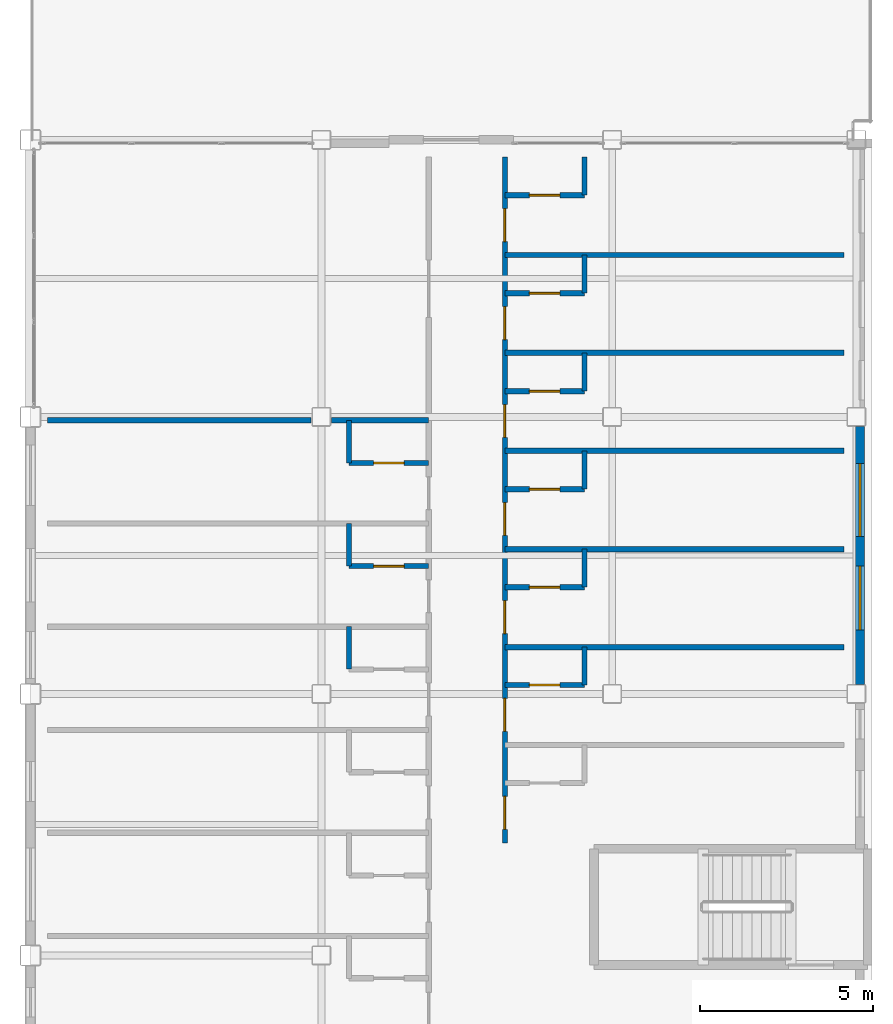
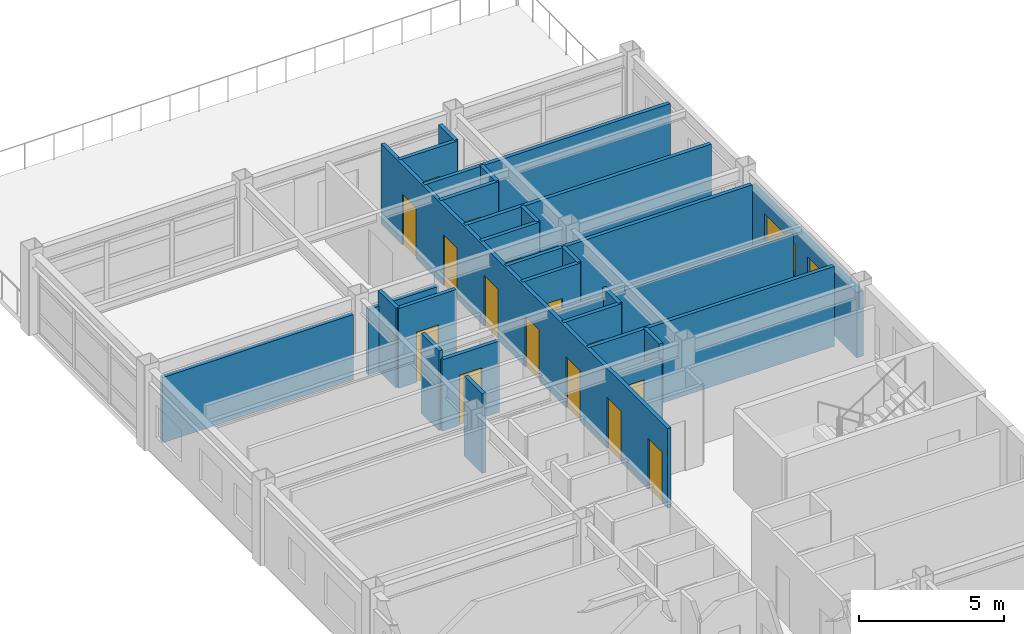
# One storey, part 32 of 36: 26 walls, 15 doors, 2 windows, 17 openings.
"""IFC4 building model written with IfcOpenShell, lengths in metres."""

from ifc_helpers import new_model, si_unit, direction, frame, frame_2d, origin, place, context, subcontext, project, spatial, rectangle, extrude, material, layer, layer_set, type_object, element, fill, save


model = new_model("IFC4")

# Units and contexts
model_context = context("Model", 3, precision=1e-05, world=origin(), true_north=direction((0.0, 1.0)))
body_context = subcontext(model_context, "Body", "Model", "MODEL_VIEW")
ifc_project = project(units=[si_unit("LENGTHUNIT", "METRE"), si_unit("AREAUNIT", "SQUARE_METRE"), si_unit("VOLUMEUNIT", "CUBIC_METRE"), si_unit("PLANEANGLEUNIT", "RADIAN"), si_unit("MASSUNIT", "GRAM", prefix="KILO")], contexts=[model_context])

# Site, building, storey
site_placement = place(None, origin())
site = spatial("IfcSite", under=ifc_project, at=site_placement, CompositionType="ELEMENT")
building_placement = place(site_placement, origin())
building = spatial("IfcBuilding", under=site, at=building_placement, Name="Kazehara Bluff Congress Hotel", CompositionType="ELEMENT")
storey_placement = place(building_placement, frame((0.0, 0.0, 31.800048828125)))
storey = spatial("IfcBuildingStorey", under=building, at=storey_placement, Name="L07", CompositionType="ELEMENT", Elevation=31.800048828125)

# Wall, openings, windows
ifc_material_1 = material(Name="Precast concrete C40/50", Category="concrete")
ifc_layer_1 = layer(ifc_material_1, 0.260009765625)
ifc_layer_set_1 = layer_set([ifc_layer_1], Name="Precast concrete C40/50")
wall_type_1 = type_object("IfcWallType", Name="TP-EW-260", PredefinedType="SOLIDWALL", material=ifc_layer_set_1)
wall_1_placement = place(storey_placement, frame((167.64990234375, 88.625, 0.0), z_axis=(0.0, 0.0, 1.0), x_axis=(0.0, -1.0, 0.0)))
wall_1 = element("IfcWall", 1, at=wall_1_placement, inside=storey, type_object=wall_type_1, Name="L07 hotel facade panel 99", PredefinedType="SOLIDWALL", context=body_context, shape_type="SweptSolid", body=[
    extrude(rectangle(XDim=7.449951171875, YDim=0.260009765625, at=frame_2d((3.72509765625, 0.0))), origin(), (0.0, 0.0, 1.0), 2.7548828125),
])
opening_1_placement = place(wall_1_placement, frame((4.030029296875, 0.0, 0.85009765625)))
opening_1 = element("IfcOpeningElement", 2, at=opening_1_placement, cuts=wall_1, Name="Opening WN-36", PredefinedType="OPENING", context=body_context, shape_type="SweptSolid", body=[
    extrude(rectangle(XDim=1.85009765625, YDim=1.35009765625, at=frame_2d((0.925048828125, 0.675048828125))), frame((0.0, 0.139892578125, 0.0), z_axis=(0.0, -1.0, 0.0), x_axis=(1.0, 0.0, 0.0)), (0.0, 0.0, 1.0), 0.280029296875),
])
opening_2_placement = place(wall_1_placement, frame((1.074951171875, 0.0, 0.85009765625)))
opening_2 = element("IfcOpeningElement", 3, at=opening_2_placement, cuts=wall_1, Name="Opening WN-46", PredefinedType="OPENING", context=body_context, shape_type="SweptSolid", body=[
    extrude(rectangle(XDim=2.10009765625, YDim=1.35009765625, at=frame_2d((1.050048828125, 0.675048828125))), frame((0.0, 0.139892578125, 0.0), z_axis=(0.0, -1.0, 0.0), x_axis=(1.0, 0.0, 0.0)), (0.0, 0.0, 1.0), 0.280029296875),
])
ifc_material_2 = material(Name="Insulated low-E double glazing", Category="glass")
window_type_1 = type_object("IfcWindowType", Name="TP-WN-36", PartitioningType="DOUBLE_PANEL_VERTICAL", PredefinedType="WINDOW", material=ifc_material_2)
window_1_placement = place(opening_1_placement, origin())
window_1 = element("IfcWindow", 4, at=window_1_placement, inside=storey, type_object=window_type_1, Name="L07 guestroom window WN-36 188", OverallHeight=1.35009765625, OverallWidth=1.85009765625, PartitioningType="SINGLE_PANEL", PredefinedType="WINDOW", context=body_context, shape_type="SweptSolid", body=[
    extrude(rectangle(XDim=1.85009765625, YDim=1.35009765625, at=frame_2d((0.925048828125, 0.675048828125))), frame((0.0, 0.030029296875, 0.0), z_axis=(0.0, -1.0, 0.0), x_axis=(1.0, 0.0, 0.0)), (0.0, 0.0, 1.0), 0.06005859375),
])
fill(opening_1, window_1)
ifc_material_3 = material(Name="Insulated low-E double glazing", Category="glass")
window_type_2 = type_object("IfcWindowType", Name="TP-WN-46", PartitioningType="DOUBLE_PANEL_VERTICAL", PredefinedType="WINDOW", material=ifc_material_3)
window_2_placement = place(opening_2_placement, origin())
window_2 = element("IfcWindow", 5, at=window_2_placement, inside=storey, type_object=window_type_2, Name="L07 guestroom window WN-46 189", OverallHeight=1.35009765625, OverallWidth=2.10009765625, PartitioningType="SINGLE_PANEL", PredefinedType="WINDOW", context=body_context, shape_type="SweptSolid", body=[
    extrude(rectangle(XDim=2.10009765625, YDim=1.35009765625, at=frame_2d((1.050048828125, 0.675048828125))), frame((0.0, 0.030029296875, 0.0), z_axis=(0.0, -1.0, 0.0), x_axis=(1.0, 0.0, 0.0)), (0.0, 0.0, 1.0), 0.06005859375),
])
fill(opening_2, window_2)

# Wall, opening, door
ifc_material_4 = material(Name="Fire-rated gypsum board stud partition")
ifc_layer_2 = layer(ifc_material_4, 0.14990234375)
ifc_layer_set_2 = layer_set([ifc_layer_2], Name="Fire-rated gypsum board stud partition")
wall_type_2 = type_object("IfcWallType", Name="TP-PT-150", PredefinedType="PARTITIONING", material=ifc_layer_set_2)
wall_2_placement = place(storey_placement, frame((157.39990234375, 81.159912109375, 0.0), z_axis=(0.0, 0.0, 1.0), x_axis=(1.0, 0.0, 0.0)))
wall_2 = element("IfcWall", 6, at=wall_2_placement, inside=storey, type_object=wall_type_2, Name="L07 partition PT-150 939", PredefinedType="PARTITIONING", context=body_context, shape_type="SweptSolid", body=[
    extrude(rectangle(XDim=2.300048828125, YDim=0.14990234375, at=frame_2d((1.14990234375, 0.0))), origin(), (0.0, 0.0, 1.0), 2.7548828125),
])
opening_3_placement = place(wall_2_placement, frame((0.7099609375, 0.0, 0.0)))
opening_3 = element("IfcOpeningElement", 7, at=opening_3_placement, cuts=wall_2, Name="Opening BD-02", PredefinedType="OPENING", context=body_context, shape_type="SweptSolid", body=[
    extrude(rectangle(XDim=0.8798828125, YDim=2.1201171875, at=frame_2d((0.43994140625, 1.06005859375))), frame((0.0, 0.0849609375, 0.0), z_axis=(0.0, -1.0, 0.0), x_axis=(1.0, 0.0, 0.0)), (0.0, 0.0, 1.0), 0.169921875),
])
ifc_material_5 = material(Name="Architectural oak veneer leaf")
door_type_1 = type_object("IfcDoorType", Name="TP-BD-02", OperationType="NOTDEFINED", PredefinedType="DOOR", material=ifc_material_5)
door_1_placement = place(opening_3_placement, origin())
door_1 = element("IfcDoor", 8, at=door_1_placement, inside=storey, type_object=door_type_1, Name="L07 En-suite Bathroom 203 door", OperationType="SINGLE_SWING_RIGHT", OverallHeight=2.1201171875, OverallWidth=0.8798828125, PredefinedType="DOOR", context=body_context, shape_type="SweptSolid", body=[
    extrude(rectangle(XDim=0.8798828125, YDim=2.1201171875, at=frame_2d((0.43994140625, 1.06005859375))), frame((0.0, 0.02490234375, 0.0), z_axis=(0.0, -1.0, 0.0), x_axis=(1.0, 0.0, 0.0)), (0.0, 0.0, 1.0), 0.050048828125),
])
fill(opening_3, door_1)

# Wall
wall_3_placement = place(storey_placement, frame((157.39990234375, 82.25, 0.0), z_axis=(0.0, 0.0, 1.0), x_axis=(1.0, 0.0, 0.0)))
element("IfcWall", 9, at=wall_3_placement, inside=storey, type_object=wall_type_2, Name="L07 partition PT-150 941", PredefinedType="PARTITIONING", context=body_context, shape_type="SweptSolid", body=[
    extrude(rectangle(XDim=9.800048828125, YDim=0.14990234375, at=frame_2d((4.89990234375, 0.0))), origin(), (0.0, 0.0, 1.0), 3.364990234375),
])

# Wall, opening, door
wall_4_placement = place(storey_placement, frame((157.39990234375, 83.97998046875, 0.0), z_axis=(0.0, 0.0, 1.0), x_axis=(1.0, 0.0, 0.0)))
wall_4 = element("IfcWall", 10, at=wall_4_placement, inside=storey, type_object=wall_type_2, Name="L07 partition PT-150 943", PredefinedType="PARTITIONING", context=body_context, shape_type="SweptSolid", body=[
    extrude(rectangle(XDim=2.300048828125, YDim=0.14990234375, at=frame_2d((1.14990234375, 0.0))), origin(), (0.0, 0.0, 1.0), 3.364990234375),
])
opening_4_placement = place(wall_4_placement, frame((0.7099609375, 0.0, 0.0)))
opening_4 = element("IfcOpeningElement", 11, at=opening_4_placement, cuts=wall_4, Name="Opening BD-02", PredefinedType="OPENING", context=body_context, shape_type="SweptSolid", body=[
    extrude(rectangle(XDim=0.8798828125, YDim=2.1201171875, at=frame_2d((0.43994140625, 1.06005859375))), frame((0.0, 0.0849609375, 0.0), z_axis=(0.0, -1.0, 0.0), x_axis=(1.0, 0.0, 0.0)), (0.0, 0.0, 1.0), 0.169921875),
])
door_2_placement = place(opening_4_placement, origin())
door_2 = element("IfcDoor", 12, at=door_2_placement, inside=storey, type_object=door_type_1, Name="L07 En-suite Bathroom 204 door", OperationType="SINGLE_SWING_RIGHT", OverallHeight=2.1201171875, OverallWidth=0.8798828125, PredefinedType="DOOR", context=body_context, shape_type="SweptSolid", body=[
    extrude(rectangle(XDim=0.8798828125, YDim=2.1201171875, at=frame_2d((0.43994140625, 1.06005859375))), frame((0.0, 0.02490234375, 0.0), z_axis=(0.0, -1.0, 0.0), x_axis=(1.0, 0.0, 0.0)), (0.0, 0.0, 1.0), 0.050048828125),
])
fill(opening_4, door_2)

wall_5_placement = place(storey_placement, frame((152.89990234375, 84.590087890625, 0.0), z_axis=(0.0, 0.0, 1.0), x_axis=(1.0, 0.0, 0.0)))
wall_5 = element("IfcWall", 13, at=wall_5_placement, inside=storey, type_object=wall_type_2, Name="L07 partition PT-150 944", PredefinedType="PARTITIONING", context=body_context, shape_type="SweptSolid", body=[
    extrude(rectangle(XDim=2.300048828125, YDim=0.14990234375, at=frame_2d((1.14990234375, 0.0))), origin(), (0.0, 0.0, 1.0), 3.0048828125),
])
opening_5_placement = place(wall_5_placement, frame((0.7099609375, 0.0, 0.0)))
opening_5 = element("IfcOpeningElement", 14, at=opening_5_placement, cuts=wall_5, Name="Opening BD-02", PredefinedType="OPENING", context=body_context, shape_type="SweptSolid", body=[
    extrude(rectangle(XDim=0.8798828125, YDim=2.1201171875, at=frame_2d((0.43994140625, 1.06005859375))), frame((0.0, 0.0849609375, 0.0), z_axis=(0.0, -1.0, 0.0), x_axis=(1.0, 0.0, 0.0)), (0.0, 0.0, 1.0), 0.169921875),
])
door_3_placement = place(opening_5_placement, origin())
door_3 = element("IfcDoor", 15, at=door_3_placement, inside=storey, type_object=door_type_1, Name="L07 En-suite Bathroom 181 door", OperationType="SINGLE_SWING_RIGHT", OverallHeight=2.1201171875, OverallWidth=0.8798828125, PredefinedType="DOOR", context=body_context, shape_type="SweptSolid", body=[
    extrude(rectangle(XDim=0.8798828125, YDim=2.1201171875, at=frame_2d((0.43994140625, 1.06005859375))), frame((0.0, 0.02490234375, 0.0), z_axis=(0.0, -1.0, 0.0), x_axis=(1.0, 0.0, 0.0)), (0.0, 0.0, 1.0), 0.050048828125),
])
fill(opening_5, door_3)

# Wall
wall_6_placement = place(storey_placement, frame((157.39990234375, 85.080078125, 0.0), z_axis=(0.0, 0.0, 1.0), x_axis=(1.0, 0.0, 0.0)))
element("IfcWall", 16, at=wall_6_placement, inside=storey, type_object=wall_type_2, Name="L07 partition PT-150 945", PredefinedType="PARTITIONING", context=body_context, shape_type="SweptSolid", body=[
    extrude(rectangle(XDim=9.800048828125, YDim=0.14990234375, at=frame_2d((4.89990234375, 0.0))), origin(), (0.0, 0.0, 1.0), 3.0048828125),
])

# Wall, opening, door
wall_7_placement = place(storey_placement, frame((157.39990234375, 86.81005859375, 0.0), z_axis=(0.0, 0.0, 1.0), x_axis=(1.0, 0.0, 0.0)))
wall_7 = element("IfcWall", 17, at=wall_7_placement, inside=storey, type_object=wall_type_2, Name="L07 partition PT-150 947", PredefinedType="PARTITIONING", context=body_context, shape_type="SweptSolid", body=[
    extrude(rectangle(XDim=2.300048828125, YDim=0.14990234375, at=frame_2d((1.14990234375, 0.0))), origin(), (0.0, 0.0, 1.0), 3.364990234375),
])
opening_6_placement = place(wall_7_placement, frame((0.7099609375, 0.0, 0.0)))
opening_6 = element("IfcOpeningElement", 18, at=opening_6_placement, cuts=wall_7, Name="Opening BD-02", PredefinedType="OPENING", context=body_context, shape_type="SweptSolid", body=[
    extrude(rectangle(XDim=0.8798828125, YDim=2.1201171875, at=frame_2d((0.43994140625, 1.06005859375))), frame((0.0, 0.0849609375, 0.0), z_axis=(0.0, -1.0, 0.0), x_axis=(1.0, 0.0, 0.0)), (0.0, 0.0, 1.0), 0.169921875),
])
door_4_placement = place(opening_6_placement, origin())
door_4 = element("IfcDoor", 19, at=door_4_placement, inside=storey, type_object=door_type_1, Name="L07 En-suite Bathroom 205 door", OperationType="SINGLE_SWING_RIGHT", OverallHeight=2.1201171875, OverallWidth=0.8798828125, PredefinedType="DOOR", context=body_context, shape_type="SweptSolid", body=[
    extrude(rectangle(XDim=0.8798828125, YDim=2.1201171875, at=frame_2d((0.43994140625, 1.06005859375))), frame((0.0, 0.02490234375, 0.0), z_axis=(0.0, -1.0, 0.0), x_axis=(1.0, 0.0, 0.0)), (0.0, 0.0, 1.0), 0.050048828125),
])
fill(opening_6, door_4)

wall_8_placement = place(storey_placement, frame((152.89990234375, 87.570068359375, 0.0), z_axis=(0.0, 0.0, 1.0), x_axis=(1.0, 0.0, 0.0)))
wall_8 = element("IfcWall", 20, at=wall_8_placement, inside=storey, type_object=wall_type_2, Name="L07 partition PT-150 948", PredefinedType="PARTITIONING", context=body_context, shape_type="SweptSolid", body=[
    extrude(rectangle(XDim=2.300048828125, YDim=0.14990234375, at=frame_2d((1.14990234375, 0.0))), origin(), (0.0, 0.0, 1.0), 3.364990234375),
])
opening_7_placement = place(wall_8_placement, frame((0.7099609375, 0.0, 0.0)))
opening_7 = element("IfcOpeningElement", 21, at=opening_7_placement, cuts=wall_8, Name="Opening BD-02", PredefinedType="OPENING", context=body_context, shape_type="SweptSolid", body=[
    extrude(rectangle(XDim=0.8798828125, YDim=2.1201171875, at=frame_2d((0.43994140625, 1.06005859375))), frame((0.0, 0.0849609375, 0.0), z_axis=(0.0, -1.0, 0.0), x_axis=(1.0, 0.0, 0.0)), (0.0, 0.0, 1.0), 0.169921875),
])
door_5_placement = place(opening_7_placement, origin())
door_5 = element("IfcDoor", 22, at=door_5_placement, inside=storey, type_object=door_type_1, Name="L07 En-suite Bathroom 182 door", OperationType="SINGLE_SWING_RIGHT", OverallHeight=2.1201171875, OverallWidth=0.8798828125, PredefinedType="DOOR", context=body_context, shape_type="SweptSolid", body=[
    extrude(rectangle(XDim=0.8798828125, YDim=2.1201171875, at=frame_2d((0.43994140625, 1.06005859375))), frame((0.0, 0.02490234375, 0.0), z_axis=(0.0, -1.0, 0.0), x_axis=(1.0, 0.0, 0.0)), (0.0, 0.0, 1.0), 0.050048828125),
])
fill(opening_7, door_5)

# Walls
wall_9_placement = place(storey_placement, frame((157.39990234375, 87.919921875, 0.0), z_axis=(0.0, 0.0, 1.0), x_axis=(1.0, 0.0, 0.0)))
element("IfcWall", 23, at=wall_9_placement, inside=storey, type_object=wall_type_2, Name="L07 partition PT-150 949", PredefinedType="PARTITIONING", context=body_context, shape_type="SweptSolid", body=[
    extrude(rectangle(XDim=9.800048828125, YDim=0.14990234375, at=frame_2d((4.89990234375, 0.0))), origin(), (0.0, 0.0, 1.0), 3.364990234375),
])
wall_10_placement = place(storey_placement, frame((144.199951171875, 88.800048828125, 0.0), z_axis=(0.0, 0.0, 1.0), x_axis=(1.0, 0.0, 0.0)))
element("IfcWall", 24, at=wall_10_placement, inside=storey, type_object=wall_type_2, Name="L07 partition PT-150 950", PredefinedType="PARTITIONING", context=body_context, shape_type="SweptSolid", body=[
    extrude(rectangle(XDim=7.60498046875, YDim=0.14990234375, at=frame_2d((3.802490234375, 0.0))), origin(), (0.0, 0.0, 1.0), 2.7548828125),
])
wall_11_placement = place(storey_placement, frame((152.39501953125, 88.800048828125, 0.0), z_axis=(0.0, 0.0, 1.0), x_axis=(1.0, 0.0, 0.0)))
element("IfcWall", 25, at=wall_11_placement, inside=storey, type_object=wall_type_2, Name="L07 partition PT-150 951", PredefinedType="PARTITIONING", context=body_context, shape_type="SweptSolid", body=[
    extrude(rectangle(XDim=2.804931640625, YDim=0.14990234375, at=frame_2d((1.40234375, 0.0))), origin(), (0.0, 0.0, 1.0), 2.7548828125),
])

# Wall, opening, door
wall_12_placement = place(storey_placement, frame((157.39990234375, 89.639892578125, 0.0), z_axis=(0.0, 0.0, 1.0), x_axis=(1.0, 0.0, 0.0)))
wall_12 = element("IfcWall", 26, at=wall_12_placement, inside=storey, type_object=wall_type_2, Name="L07 partition PT-150 952", PredefinedType="PARTITIONING", context=body_context, shape_type="SweptSolid", body=[
    extrude(rectangle(XDim=2.300048828125, YDim=0.14990234375, at=frame_2d((1.14990234375, 0.0))), origin(), (0.0, 0.0, 1.0), 3.364990234375),
])
opening_8_placement = place(wall_12_placement, frame((0.7099609375, 0.0, 0.0)))
opening_8 = element("IfcOpeningElement", 27, at=opening_8_placement, cuts=wall_12, Name="Opening BD-02", PredefinedType="OPENING", context=body_context, shape_type="SweptSolid", body=[
    extrude(rectangle(XDim=0.8798828125, YDim=2.1201171875, at=frame_2d((0.43994140625, 1.06005859375))), frame((0.0, 0.0849609375, 0.0), z_axis=(0.0, -1.0, 0.0), x_axis=(1.0, 0.0, 0.0)), (0.0, 0.0, 1.0), 0.169921875),
])
door_6_placement = place(opening_8_placement, origin())
door_6 = element("IfcDoor", 28, at=door_6_placement, inside=storey, type_object=door_type_1, Name="L07 En-suite Bathroom 206 door", OperationType="SINGLE_SWING_RIGHT", OverallHeight=2.1201171875, OverallWidth=0.8798828125, PredefinedType="DOOR", context=body_context, shape_type="SweptSolid", body=[
    extrude(rectangle(XDim=0.8798828125, YDim=2.1201171875, at=frame_2d((0.43994140625, 1.06005859375))), frame((0.0, 0.02490234375, 0.0), z_axis=(0.0, -1.0, 0.0), x_axis=(1.0, 0.0, 0.0)), (0.0, 0.0, 1.0), 0.050048828125),
])
fill(opening_8, door_6)

# Wall
wall_13_placement = place(storey_placement, frame((157.39990234375, 90.75, 0.0), z_axis=(0.0, 0.0, 1.0), x_axis=(1.0, 0.0, 0.0)))
element("IfcWall", 29, at=wall_13_placement, inside=storey, type_object=wall_type_2, Name="L07 partition PT-150 953", PredefinedType="PARTITIONING", context=body_context, shape_type="SweptSolid", body=[
    extrude(rectangle(XDim=9.800048828125, YDim=0.14990234375, at=frame_2d((4.89990234375, 0.0))), origin(), (0.0, 0.0, 1.0), 3.364990234375),
])

# Wall, opening, door
wall_14_placement = place(storey_placement, frame((157.39990234375, 92.469970703125, 0.0), z_axis=(0.0, 0.0, 1.0), x_axis=(1.0, 0.0, 0.0)))
wall_14 = element("IfcWall", 30, at=wall_14_placement, inside=storey, type_object=wall_type_2, Name="L07 partition PT-150 954", PredefinedType="PARTITIONING", context=body_context, shape_type="SweptSolid", body=[
    extrude(rectangle(XDim=2.300048828125, YDim=0.14990234375, at=frame_2d((1.14990234375, 0.0))), origin(), (0.0, 0.0, 1.0), 3.364990234375),
])
opening_9_placement = place(wall_14_placement, frame((0.7099609375, 0.0, 0.0)))
opening_9 = element("IfcOpeningElement", 31, at=opening_9_placement, cuts=wall_14, Name="Opening BD-02", PredefinedType="OPENING", context=body_context, shape_type="SweptSolid", body=[
    extrude(rectangle(XDim=0.8798828125, YDim=2.1201171875, at=frame_2d((0.43994140625, 1.06005859375))), frame((0.0, 0.0849609375, 0.0), z_axis=(0.0, -1.0, 0.0), x_axis=(1.0, 0.0, 0.0)), (0.0, 0.0, 1.0), 0.169921875),
])
door_7_placement = place(opening_9_placement, origin())
door_7 = element("IfcDoor", 32, at=door_7_placement, inside=storey, type_object=door_type_1, Name="L07 En-suite Bathroom 207 door", OperationType="SINGLE_SWING_RIGHT", OverallHeight=2.1201171875, OverallWidth=0.8798828125, PredefinedType="DOOR", context=body_context, shape_type="SweptSolid", body=[
    extrude(rectangle(XDim=0.8798828125, YDim=2.1201171875, at=frame_2d((0.43994140625, 1.06005859375))), frame((0.0, 0.02490234375, 0.0), z_axis=(0.0, -1.0, 0.0), x_axis=(1.0, 0.0, 0.0)), (0.0, 0.0, 1.0), 0.050048828125),
])
fill(opening_9, door_7)

# Wall
wall_15_placement = place(storey_placement, frame((157.39990234375, 93.570068359375, 0.0), z_axis=(0.0, 0.0, 1.0), x_axis=(1.0, 0.0, 0.0)))
element("IfcWall", 33, at=wall_15_placement, inside=storey, type_object=wall_type_2, Name="L07 partition PT-150 955", PredefinedType="PARTITIONING", context=body_context, shape_type="SweptSolid", body=[
    extrude(rectangle(XDim=9.800048828125, YDim=0.14990234375, at=frame_2d((4.89990234375, 0.0))), origin(), (0.0, 0.0, 1.0), 3.364990234375),
])

# Wall, opening, door
wall_16_placement = place(storey_placement, frame((157.39990234375, 95.300048828125, 0.0), z_axis=(0.0, 0.0, 1.0), x_axis=(1.0, 0.0, 0.0)))
wall_16 = element("IfcWall", 34, at=wall_16_placement, inside=storey, type_object=wall_type_2, Name="L07 partition PT-150 956", PredefinedType="PARTITIONING", context=body_context, shape_type="SweptSolid", body=[
    extrude(rectangle(XDim=2.300048828125, YDim=0.14990234375, at=frame_2d((1.14990234375, 0.0))), origin(), (0.0, 0.0, 1.0), 3.364990234375),
])
opening_10_placement = place(wall_16_placement, frame((0.7099609375, 0.0, 0.0)))
opening_10 = element("IfcOpeningElement", 35, at=opening_10_placement, cuts=wall_16, Name="Opening BD-02", PredefinedType="OPENING", context=body_context, shape_type="SweptSolid", body=[
    extrude(rectangle(XDim=0.8798828125, YDim=2.1201171875, at=frame_2d((0.43994140625, 1.06005859375))), frame((0.0, 0.0849609375, 0.0), z_axis=(0.0, -1.0, 0.0), x_axis=(1.0, 0.0, 0.0)), (0.0, 0.0, 1.0), 0.169921875),
])
door_8_placement = place(opening_10_placement, origin())
door_8 = element("IfcDoor", 36, at=door_8_placement, inside=storey, type_object=door_type_1, Name="L07 En-suite Bathroom 208 door", OperationType="SINGLE_SWING_RIGHT", OverallHeight=2.1201171875, OverallWidth=0.8798828125, PredefinedType="DOOR", context=body_context, shape_type="SweptSolid", body=[
    extrude(rectangle(XDim=0.8798828125, YDim=2.1201171875, at=frame_2d((0.43994140625, 1.06005859375))), frame((0.0, 0.02490234375, 0.0), z_axis=(0.0, -1.0, 0.0), x_axis=(1.0, 0.0, 0.0)), (0.0, 0.0, 1.0), 0.050048828125),
])
fill(opening_10, door_8)

# Walls
wall_17_placement = place(storey_placement, frame((152.89990234375, 81.614990234375, 0.0), z_axis=(0.0, 0.0, 1.0), x_axis=(0.0, 1.0, 0.0)))
element("IfcWall", 37, at=wall_17_placement, inside=storey, type_object=wall_type_2, Name="L07 partition PT-150 972", PredefinedType="PARTITIONING", context=body_context, shape_type="SweptSolid", body=[
    extrude(rectangle(XDim=1.22998046875, YDim=0.14990234375, at=frame_2d((0.614990234375, 0.0))), origin(), (0.0, 0.0, 1.0), 3.364990234375),
])
wall_18_placement = place(storey_placement, frame((152.89990234375, 84.594970703125, 0.0), z_axis=(0.0, 0.0, 1.0), x_axis=(0.0, 1.0, 0.0)))
element("IfcWall", 38, at=wall_18_placement, inside=storey, type_object=wall_type_2, Name="L07 partition PT-150 973", PredefinedType="PARTITIONING", context=body_context, shape_type="SweptSolid", body=[
    extrude(rectangle(XDim=1.22509765625, YDim=0.14990234375, at=frame_2d((0.612548828125, 0.0))), origin(), (0.0, 0.0, 1.0), 3.364990234375),
])
wall_19_placement = place(storey_placement, frame((152.89990234375, 87.570068359375, 0.0), z_axis=(0.0, 0.0, 1.0), x_axis=(0.0, 1.0, 0.0)))
element("IfcWall", 39, at=wall_19_placement, inside=storey, type_object=wall_type_2, Name="L07 partition PT-150 974", PredefinedType="PARTITIONING", context=body_context, shape_type="SweptSolid", body=[
    extrude(rectangle(XDim=1.22998046875, YDim=0.14990234375, at=frame_2d((0.614990234375, 0.0))), origin(), (0.0, 0.0, 1.0), 3.364990234375),
])

# Wall, openings, doors
wall_20_placement = place(storey_placement, frame((157.39990234375, 76.60009765625, 0.0), z_axis=(0.0, 0.0, 1.0), x_axis=(0.0, 1.0, 0.0)))
wall_20 = element("IfcWall", 40, at=wall_20_placement, inside=storey, type_object=wall_type_2, Name="L07 partition PT-150 984", PredefinedType="PARTITIONING", context=body_context, shape_type="SweptSolid", body=[
    extrude(rectangle(XDim=19.7998046875, YDim=0.14990234375, at=frame_2d((9.89990234375, 0.0))), origin(), (0.0, 0.0, 1.0), 3.364990234375),
])
opening_11_placement = place(wall_20_placement, frame((0.389892578125, 0.0, 0.0)))
opening_11 = element("IfcOpeningElement", 41, at=opening_11_placement, cuts=wall_20, Name="Opening GD-01", PredefinedType="OPENING", context=body_context, shape_type="SweptSolid", body=[
    extrude(rectangle(XDim=0.949951171875, YDim=2.14990234375, at=frame_2d((0.47509765625, 1.074951171875))), frame((0.0, 0.0849609375, 0.0), z_axis=(0.0, -1.0, 0.0), x_axis=(1.0, 0.0, 0.0)), (0.0, 0.0, 1.0), 0.169921875),
])
opening_12_placement = place(wall_20_placement, frame((3.219970703125, 0.0, 0.0)))
opening_12 = element("IfcOpeningElement", 42, at=opening_12_placement, cuts=wall_20, Name="Opening GD-01", PredefinedType="OPENING", context=body_context, shape_type="SweptSolid", body=[
    extrude(rectangle(XDim=0.949951171875, YDim=2.14990234375, at=frame_2d((0.47509765625, 1.074951171875))), frame((0.0, 0.0849609375, 0.0), z_axis=(0.0, -1.0, 0.0), x_axis=(1.0, 0.0, 0.0)), (0.0, 0.0, 1.0), 0.169921875),
])
opening_13_placement = place(wall_20_placement, frame((6.044921875, 0.0, 0.0)))
opening_13 = element("IfcOpeningElement", 43, at=opening_13_placement, cuts=wall_20, Name="Opening GD-01", PredefinedType="OPENING", context=body_context, shape_type="SweptSolid", body=[
    extrude(rectangle(XDim=0.949951171875, YDim=2.14990234375, at=frame_2d((0.47509765625, 1.074951171875))), frame((0.0, 0.0849609375, 0.0), z_axis=(0.0, -1.0, 0.0), x_axis=(1.0, 0.0, 0.0)), (0.0, 0.0, 1.0), 0.169921875),
])
opening_14_placement = place(wall_20_placement, frame((8.875, 0.0, 0.0)))
opening_14 = element("IfcOpeningElement", 44, at=opening_14_placement, cuts=wall_20, Name="Opening GD-01", PredefinedType="OPENING", context=body_context, shape_type="SweptSolid", body=[
    extrude(rectangle(XDim=0.949951171875, YDim=2.14990234375, at=frame_2d((0.47509765625, 1.074951171875))), frame((0.0, 0.0849609375, 0.0), z_axis=(0.0, -1.0, 0.0), x_axis=(1.0, 0.0, 0.0)), (0.0, 0.0, 1.0), 0.169921875),
])
opening_15_placement = place(wall_20_placement, frame((11.705078125, 0.0, 0.0)))
opening_15 = element("IfcOpeningElement", 45, at=opening_15_placement, cuts=wall_20, Name="Opening GD-01", PredefinedType="OPENING", context=body_context, shape_type="SweptSolid", body=[
    extrude(rectangle(XDim=0.949951171875, YDim=2.14990234375, at=frame_2d((0.47509765625, 1.074951171875))), frame((0.0, 0.0849609375, 0.0), z_axis=(0.0, -1.0, 0.0), x_axis=(1.0, 0.0, 0.0)), (0.0, 0.0, 1.0), 0.169921875),
])
opening_16_placement = place(wall_20_placement, frame((14.530029296875, 0.0, 0.0)))
opening_16 = element("IfcOpeningElement", 46, at=opening_16_placement, cuts=wall_20, Name="Opening GD-01", PredefinedType="OPENING", context=body_context, shape_type="SweptSolid", body=[
    extrude(rectangle(XDim=0.949951171875, YDim=2.14990234375, at=frame_2d((0.47509765625, 1.074951171875))), frame((0.0, 0.0849609375, 0.0), z_axis=(0.0, -1.0, 0.0), x_axis=(1.0, 0.0, 0.0)), (0.0, 0.0, 1.0), 0.169921875),
])
opening_17_placement = place(wall_20_placement, frame((17.360107421875, 0.0, 0.0)))
opening_17 = element("IfcOpeningElement", 47, at=opening_17_placement, cuts=wall_20, Name="Opening GD-01", PredefinedType="OPENING", context=body_context, shape_type="SweptSolid", body=[
    extrude(rectangle(XDim=0.949951171875, YDim=2.14990234375, at=frame_2d((0.47509765625, 1.074951171875))), frame((0.0, 0.0849609375, 0.0), z_axis=(0.0, -1.0, 0.0), x_axis=(1.0, 0.0, 0.0)), (0.0, 0.0, 1.0), 0.169921875),
])
ifc_material_6 = material(Name="Architectural oak veneer leaf")
door_type_2 = type_object("IfcDoorType", Name="TP-GD-01", OperationType="NOTDEFINED", PredefinedType="DOOR", material=ifc_material_6)
door_9_placement = place(opening_11_placement, origin())
door_9 = element("IfcDoor", 48, at=door_9_placement, inside=storey, type_object=door_type_2, Name="L07 Deluxe Twin Guest Room 202 door", OperationType="SINGLE_SWING_LEFT", OverallHeight=2.14990234375, OverallWidth=0.949951171875, PredefinedType="DOOR", context=body_context, shape_type="SweptSolid", body=[
    extrude(rectangle(XDim=0.949951171875, YDim=2.14990234375, at=frame_2d((0.47509765625, 1.074951171875))), frame((0.0, 0.02490234375, 0.0), z_axis=(0.0, -1.0, 0.0), x_axis=(1.0, 0.0, 0.0)), (0.0, 0.0, 1.0), 0.050048828125),
])
fill(opening_11, door_9)
door_10_placement = place(opening_12_placement, origin())
door_10 = element("IfcDoor", 49, at=door_10_placement, inside=storey, type_object=door_type_2, Name="L07 Standard King Guest Room 203 door", OperationType="SINGLE_SWING_LEFT", OverallHeight=2.14990234375, OverallWidth=0.949951171875, PredefinedType="DOOR", context=body_context, shape_type="SweptSolid", body=[
    extrude(rectangle(XDim=0.949951171875, YDim=2.14990234375, at=frame_2d((0.47509765625, 1.074951171875))), frame((0.0, 0.02490234375, 0.0), z_axis=(0.0, -1.0, 0.0), x_axis=(1.0, 0.0, 0.0)), (0.0, 0.0, 1.0), 0.050048828125),
])
fill(opening_12, door_10)
door_11_placement = place(opening_13_placement, origin())
door_11 = element("IfcDoor", 50, at=door_11_placement, inside=storey, type_object=door_type_2, Name="L07 Deluxe Twin Guest Room 204 door", OperationType="SINGLE_SWING_LEFT", OverallHeight=2.14990234375, OverallWidth=0.949951171875, PredefinedType="DOOR", context=body_context, shape_type="SweptSolid", body=[
    extrude(rectangle(XDim=0.949951171875, YDim=2.14990234375, at=frame_2d((0.47509765625, 1.074951171875))), frame((0.0, 0.02490234375, 0.0), z_axis=(0.0, -1.0, 0.0), x_axis=(1.0, 0.0, 0.0)), (0.0, 0.0, 1.0), 0.050048828125),
])
fill(opening_13, door_11)
door_12_placement = place(opening_14_placement, origin())
door_12 = element("IfcDoor", 51, at=door_12_placement, inside=storey, type_object=door_type_2, Name="L07 Standard King Guest Room 205 door", OperationType="SINGLE_SWING_LEFT", OverallHeight=2.14990234375, OverallWidth=0.949951171875, PredefinedType="DOOR", context=body_context, shape_type="SweptSolid", body=[
    extrude(rectangle(XDim=0.949951171875, YDim=2.14990234375, at=frame_2d((0.47509765625, 1.074951171875))), frame((0.0, 0.02490234375, 0.0), z_axis=(0.0, -1.0, 0.0), x_axis=(1.0, 0.0, 0.0)), (0.0, 0.0, 1.0), 0.050048828125),
])
fill(opening_14, door_12)
door_13_placement = place(opening_15_placement, origin())
door_13 = element("IfcDoor", 52, at=door_13_placement, inside=storey, type_object=door_type_2, Name="L07 Deluxe Twin Guest Room 206 door", OperationType="SINGLE_SWING_LEFT", OverallHeight=2.14990234375, OverallWidth=0.949951171875, PredefinedType="DOOR", context=body_context, shape_type="SweptSolid", body=[
    extrude(rectangle(XDim=0.949951171875, YDim=2.14990234375, at=frame_2d((0.47509765625, 1.074951171875))), frame((0.0, 0.02490234375, 0.0), z_axis=(0.0, -1.0, 0.0), x_axis=(1.0, 0.0, 0.0)), (0.0, 0.0, 1.0), 0.050048828125),
])
fill(opening_15, door_13)
door_14_placement = place(opening_16_placement, origin())
door_14 = element("IfcDoor", 53, at=door_14_placement, inside=storey, type_object=door_type_2, Name="L07 Standard King Guest Room 207 door", OperationType="SINGLE_SWING_LEFT", OverallHeight=2.14990234375, OverallWidth=0.949951171875, PredefinedType="DOOR", context=body_context, shape_type="SweptSolid", body=[
    extrude(rectangle(XDim=0.949951171875, YDim=2.14990234375, at=frame_2d((0.47509765625, 1.074951171875))), frame((0.0, 0.02490234375, 0.0), z_axis=(0.0, -1.0, 0.0), x_axis=(1.0, 0.0, 0.0)), (0.0, 0.0, 1.0), 0.050048828125),
])
fill(opening_16, door_14)
door_15_placement = place(opening_17_placement, origin())
door_15 = element("IfcDoor", 54, at=door_15_placement, inside=storey, type_object=door_type_2, Name="L07 Deluxe Twin Guest Room 208 door", OperationType="SINGLE_SWING_LEFT", OverallHeight=2.14990234375, OverallWidth=0.949951171875, PredefinedType="DOOR", context=body_context, shape_type="SweptSolid", body=[
    extrude(rectangle(XDim=0.949951171875, YDim=2.14990234375, at=frame_2d((0.47509765625, 1.074951171875))), frame((0.0, 0.02490234375, 0.0), z_axis=(0.0, -1.0, 0.0), x_axis=(1.0, 0.0, 0.0)), (0.0, 0.0, 1.0), 0.050048828125),
])
fill(opening_17, door_15)

# Walls
for number, where, z_axis, x_axis, name in (
    (55, (159.699951171875, 81.155029296875, 0.0), (0.0, 0.0, 1.0), (0.0, 1.0, 0.0), "L07 partition PT-150 1005"),
    (56, (159.699951171875, 83.985107421875, 0.0), (0.0, 0.0, 1.0), (0.0, 1.0, 0.0), "L07 partition PT-150 1006"),
):
    element("IfcWall", number, at=place(storey_placement, frame(where, z_axis=z_axis, x_axis=x_axis)), inside=storey, type_object=wall_type_2, Name=name, PredefinedType="PARTITIONING", context=body_context, shape_type="SweptSolid", body=[
        extrude(rectangle(XDim=1.099853515625, YDim=0.14990234375, at=frame_2d((0.5498046875, 0.0))), origin(), (0.0, 0.0, 1.0), 3.364990234375),
    ])
for number, where, z_axis, x_axis, name in (
    (57, (159.699951171875, 86.81494140625, 0.0), (0.0, 0.0, 1.0), (0.0, 1.0, 0.0), "L07 partition PT-150 1007"),
    (58, (159.699951171875, 89.64501953125, 0.0), (0.0, 0.0, 1.0), (0.0, 1.0, 0.0), "L07 partition PT-150 1008"),
    (59, (159.699951171875, 92.469970703125, 0.0), (0.0, 0.0, 1.0), (0.0, 1.0, 0.0), "L07 partition PT-150 1009"),
):
    element("IfcWall", number, at=place(storey_placement, frame(where, z_axis=z_axis, x_axis=x_axis)), inside=storey, type_object=wall_type_2, Name=name, PredefinedType="PARTITIONING", context=body_context, shape_type="SweptSolid", body=[
        extrude(rectangle(XDim=1.10009765625, YDim=0.14990234375, at=frame_2d((0.550048828125, 0.0))), origin(), (0.0, 0.0, 1.0), 3.364990234375),
    ])
wall_21_placement = place(storey_placement, frame((159.699951171875, 95.300048828125, 0.0), z_axis=(0.0, 0.0, 1.0), x_axis=(0.0, 1.0, 0.0)))
element("IfcWall", 60, at=wall_21_placement, inside=storey, type_object=wall_type_2, Name="L07 partition PT-150 1010", PredefinedType="PARTITIONING", context=body_context, shape_type="SweptSolid", body=[
    extrude(rectangle(XDim=1.099853515625, YDim=0.14990234375, at=frame_2d((0.5498046875, 0.0))), origin(), (0.0, 0.0, 1.0), 3.364990234375),
])

save(model, "model.ifc")
